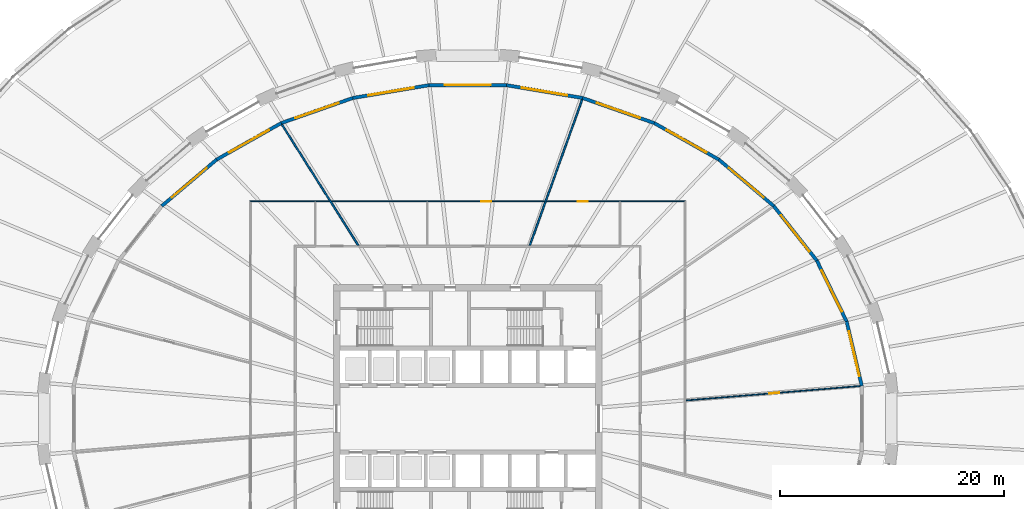
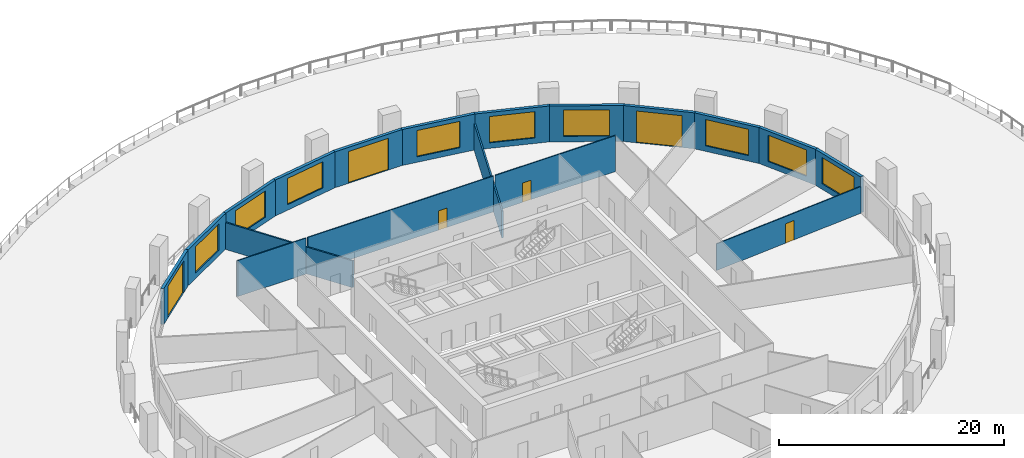
# One storey, part 10 of 16: 18 walls, 9 windows, 6 doors, 15 openings.
"""IFC4 building model written with IfcOpenShell, lengths in metres."""

from ifc_helpers import new_model, si_unit, direction, frame, frame_2d, origin, place, context, subcontext, project, spatial, polyline, rectangle, outline, extrude, material, layer, layer_set, type_object, element, fill, save


model = new_model("IFC4")

# Units and contexts
model_context = context("Model", 3, precision=1e-05, world=origin(), true_north=direction((0.0, 1.0)))
body_context = subcontext(model_context, "Body", "Model", "MODEL_VIEW")
ifc_project = project(units=[si_unit("LENGTHUNIT", "METRE"), si_unit("AREAUNIT", "SQUARE_METRE"), si_unit("VOLUMEUNIT", "CUBIC_METRE"), si_unit("PLANEANGLEUNIT", "RADIAN"), si_unit("MASSUNIT", "GRAM", prefix="KILO")], contexts=[model_context])

# Site, building, storey
site_placement = place(None, origin())
site = spatial("IfcSite", under=ifc_project, at=site_placement, CompositionType="ELEMENT")
building_placement = place(site_placement, origin())
building = spatial("IfcBuilding", under=site, at=building_placement, Name="Halqa Exchange Tower", CompositionType="ELEMENT")
storey_placement = place(building_placement, frame((0.0, 0.0, 23.5)))
storey = spatial("IfcBuildingStorey", under=building, at=storey_placement, Name="L04", CompositionType="ELEMENT", Elevation=23.5)

# Walls
ifc_material_1 = material(Name="Fire-rated gypsum board")
ifc_layer_1 = layer(ifc_material_1, 0.14990234375)
ifc_layer_set_1 = layer_set([ifc_layer_1], Name="Fire-rated gypsum board")
wall_type_1 = type_object("IfcWallType", Name="Fire partition EI 60 150", PredefinedType="PARTITIONING", material=ifc_layer_set_1)
wall_1_placement = place(storey_placement, frame((-16.59228515625, 26.260498046875, 0.0), z_axis=(0.0, 0.0, 1.0), x_axis=(0.534158681269, -0.845384234077, 0.0)))
element("IfcWall", 1, at=wall_1_placement, inside=storey, type_object=wall_type_1, Name="L04-PWL-013", PredefinedType="PARTITIONING", context=body_context, shape_type="SweptSolid", body=[
    extrude(outline(polyline([(0.0, -0.074951171875), (1.601806640625, -0.074951171875), (3.20361328125, -0.074951171875), (4.80517578125, -0.074951171875), (6.406982421875, -0.074951171875), (8.0087890625, -0.074951171875), (8.01025390625, -0.07275390625), (8.013916015625, -0.074951171875), (9.58544921875, -0.074951171875), (11.156982421875, -0.074951171875), (12.728515625, -0.074951171875), (12.78173828125, 0.009521484375), (12.78173828125, 0.009521484375), (12.796142578125, 0.031982421875), (12.783447265625, 0.0400390625), (12.805419921875, 0.074951171875), (12.805419921875, 0.074951171875), (11.277587890625, 0.074951171875), (9.749755859375, 0.074951171875), (8.2216796875, 0.074951171875), (8.22021484375, 0.072509765625), (8.216552734375, 0.074951171875), (6.577392578125, 0.074951171875), (4.9384765625, 0.074951171875), (3.29931640625, 0.074951171875), (1.660400390625, 0.074951171875), (0.021240234375, 0.074951171875), (0.00341796875, -0.003173828125), (0.0, -0.0703125), (0.0, -0.074951171875)])), origin(), (0.0, 0.0, 1.0), 2.909912109375),
])
wall_2_placement = place(storey_placement, frame((5.537841796875, 15.449951171875, 0.0), z_axis=(0.0, 0.0, 1.0), x_axis=(0.337914385466, 0.94117685272, 0.0)))
element("IfcWall", 2, at=wall_2_placement, inside=storey, type_object=wall_type_1, Name="L04-PWL-031", PredefinedType="PARTITIONING", context=body_context, shape_type="SweptSolid", body=[
    extrude(outline(polyline([(0.053466796875, -0.074951171875), (1.460205078125, -0.074951171875), (2.866943359375, -0.074951171875), (4.273681640625, -0.074951171875), (4.276611328125, -0.073974609375), (4.27685546875, -0.074951171875), (6.1923828125, -0.074951171875), (8.10791015625, -0.074951171875), (10.0234375, -0.074951171875), (11.93896484375, -0.074951171875), (13.8544921875, -0.074951171875), (13.8544921875, -0.06298828125), (13.85400390625, 0.00146484375), (13.8408203125, 0.074951171875), (11.9169921875, 0.074951171875), (9.9931640625, 0.074951171875), (8.069580078125, 0.074951171875), (6.145751953125, 0.074951171875), (4.22216796875, 0.074951171875), (4.12890625, 0.04150390625), (4.116943359375, 0.074951171875), (2.74462890625, 0.074951171875), (1.372314453125, 0.074951171875), (0.0, 0.074951171875), (0.0, 0.07421875), (0.053466796875, -0.074951171875)])), origin(), (0.0, 0.0, 1.0), 2.909912109375),
])
ifc_material_2 = material(Name="Gypsum board")
ifc_layer_2 = layer(ifc_material_2, 0.10009765625)
ifc_layer_set_2 = layer_set([ifc_layer_2], Name="Gypsum board")
wall_type_2 = type_object("IfcWallType", Name="Partition 100 gypsum", PredefinedType="PARTITIONING", material=ifc_layer_set_2)
wall_3_placement = place(storey_placement, frame((-19.449951171875, 19.39990234375, 0.0), z_axis=(0.0, 0.0, 1.0), x_axis=(1.0, 0.0, 0.0)))
element("IfcWall", 3, at=wall_3_placement, inside=storey, type_object=wall_type_2, Name="L04-PWL-011", PredefinedType="PARTITIONING", context=body_context, shape_type="SweptSolid", body=[
    extrude(outline(polyline([(7.074951171875, 0.050048828125), (5.30615234375, 0.050048828125), (3.53759765625, 0.050048828125), (1.768798828125, 0.050048828125), (0.0, 0.050048828125), (0.10009765625, -0.050048828125), (1.84375, -0.050048828125), (3.58740234375, -0.050048828125), (5.331298828125, -0.050048828125), (7.074951171875, -0.050048828125), (7.074951171875, 0.050048828125)])), origin(), (0.0, 0.0, 1.0), 3.89990234375),
])

# Wall, opening, door
wall_4_placement = place(storey_placement, frame((-12.199951171875, 19.39990234375, 0.0), z_axis=(0.0, 0.0, 1.0), x_axis=(1.0, 0.0, 0.0)))
wall_4 = element("IfcWall", 4, at=wall_4_placement, inside=storey, type_object=wall_type_2, Name="L04-PWL-021", PredefinedType="PARTITIONING", context=body_context, shape_type="SweptSolid", body=[
    extrude(outline(polyline([(0.06298828125, -0.050048828125), (1.75439453125, -0.050048828125), (3.44580078125, -0.050048828125), (5.13720703125, -0.050048828125), (6.82861328125, -0.050048828125), (8.52001953125, -0.050048828125), (8.52001953125, -0.0498046875), (8.619873046875, -0.0498046875), (8.619873046875, -0.050048828125), (10.359619140625, -0.050048828125), (12.099365234375, -0.050048828125), (13.839111328125, -0.050048828125), (15.578857421875, -0.050048828125), (17.318603515625, -0.050048828125), (19.058349609375, -0.050048828125), (19.093994140625, 0.04931640625), (19.093994140625, 0.050048828125), (17.1845703125, 0.050048828125), (15.275146484375, 0.050048828125), (13.36572265625, 0.050048828125), (11.456298828125, 0.050048828125), (9.546875, 0.050048828125), (7.6376953125, 0.050048828125), (5.728271484375, 0.050048828125), (3.81884765625, 0.050048828125), (1.909423828125, 0.050048828125), (0.0, 0.050048828125), (0.0, 0.049560546875), (0.06298828125, -0.050048828125)])), origin(), (0.0, 0.0, 1.0), 3.89990234375),
])
opening_1_placement = place(wall_4_placement, frame((13.4150390625, 0.0, 0.0)))
opening_1 = element("IfcOpeningElement", 5, at=opening_1_placement, cuts=wall_4, Name="Opening 01-21", PredefinedType="OPENING", context=body_context, shape_type="SweptSolid", body=[
    extrude(rectangle(XDim=0.89990234375, YDim=2.10009765625, at=frame_2d((0.449951171875, 1.050048828125))), frame((0.0, 0.06201171875, 0.0), z_axis=(0.0, -1.0, 0.0), x_axis=(1.0, 0.0, 0.0)), (0.0, 0.0, 1.0), 0.1240234375),
])
ifc_material_3 = material(Name="Timber door leaf", Category="wood")
door_type_1 = type_object("IfcDoorType", Name="Door 900 x 2100", OperationType="SINGLE_SWING_LEFT", PredefinedType="DOOR", material=ifc_material_3)
door_1_placement = place(opening_1_placement, frame((0.89990234375, 0.0, 0.0), z_axis=(0.0, 0.0, 1.0), x_axis=(-1.0, 0.0, 0.0)))
door_1 = element("IfcDoor", 6, at=door_1_placement, inside=storey, type_object=door_type_1, Name="L04-IDR-021", OperationType="SINGLE_SWING_RIGHT", OverallHeight=2.10009765625, OverallWidth=0.89990234375, PredefinedType="DOOR", context=body_context, shape_type="SweptSolid", body=[
    extrude(rectangle(XDim=0.89990234375, YDim=2.10009765625, at=frame_2d((0.449951171875, 1.050048828125))), frame((0.0, 0.02490234375, 0.0), z_axis=(0.0, -1.0, 0.0), x_axis=(1.0, 0.0, 0.0)), (0.0, 0.0, 1.0), 0.050048828125),
])
fill(opening_1, door_1)

wall_5_placement = place(storey_placement, frame((7.01806640625, 19.39990234375, 0.0), z_axis=(0.0, 0.0, 1.0), x_axis=(1.0, 0.0, 0.0)))
wall_5 = element("IfcWall", 7, at=wall_5_placement, inside=storey, type_object=wall_type_2, Name="L04-PWL-034", PredefinedType="PARTITIONING", context=body_context, shape_type="SweptSolid", body=[
    extrude(outline(polyline([(0.0, -0.050048828125), (1.633056640625, -0.050048828125), (3.265869140625, -0.050048828125), (4.89892578125, -0.050048828125), (6.531982421875, -0.050048828125), (6.531982421875, -0.0498046875), (6.6318359375, -0.0498046875), (6.6318359375, -0.050048828125), (8.531982421875, -0.050048828125), (10.431884765625, -0.050048828125), (12.331787109375, -0.050048828125), (12.33203125, -0.0498046875), (12.431884765625, 0.050048828125), (10.660888671875, 0.050048828125), (8.89013671875, 0.050048828125), (7.119140625, 0.050048828125), (5.348388671875, 0.050048828125), (3.577392578125, 0.050048828125), (1.806640625, 0.050048828125), (0.03564453125, 0.050048828125), (0.0, -0.04931640625), (0.0, -0.050048828125)])), origin(), (0.0, 0.0, 1.0), 3.89990234375),
])
opening_2_placement = place(wall_5_placement, frame((2.81201171875, 0.0, 0.0)))
opening_2 = element("IfcOpeningElement", 8, at=opening_2_placement, cuts=wall_5, Name="Opening 01-20", PredefinedType="OPENING", context=body_context, shape_type="SweptSolid", body=[
    extrude(rectangle(XDim=0.89990234375, YDim=2.10009765625, at=frame_2d((0.449951171875, 1.050048828125))), frame((0.0, 0.06201171875, 0.0), z_axis=(0.0, -1.0, 0.0), x_axis=(1.0, 0.0, 0.0)), (0.0, 0.0, 1.0), 0.1240234375),
])
door_2_placement = place(opening_2_placement, frame((0.89990234375, 0.0, 0.0), z_axis=(0.0, 0.0, 1.0), x_axis=(-1.0, 0.0, 0.0)))
door_2 = element("IfcDoor", 9, at=door_2_placement, inside=storey, type_object=door_type_1, Name="L04-IDR-020", OperationType="SINGLE_SWING_RIGHT", OverallHeight=2.10009765625, OverallWidth=0.89990234375, PredefinedType="DOOR", context=body_context, shape_type="SweptSolid", body=[
    extrude(rectangle(XDim=0.89990234375, YDim=2.10009765625, at=frame_2d((0.449951171875, 1.050048828125))), frame((0.0, 0.02490234375, 0.0), z_axis=(0.0, -1.0, 0.0), x_axis=(1.0, 0.0, 0.0)), (0.0, 0.0, 1.0), 0.050048828125),
])
fill(opening_2, door_2)

wall_6_placement = place(storey_placement, frame((19.4462890625, 1.623779296875, 0.0), z_axis=(0.0, 0.0, 1.0), x_axis=(0.996584208703, 0.082582776438, 0.0)))
wall_6 = element("IfcWall", 10, at=wall_6_placement, inside=storey, type_object=wall_type_2, Name="L04-PWL-045", PredefinedType="PARTITIONING", context=body_context, shape_type="SweptSolid", body=[
    extrude(outline(polyline([(15.633056640625, -0.050048828125), (15.633056640625, 0.03515625), (15.630859375, 0.050048828125), (13.677978515625, 0.050048828125), (11.72509765625, 0.050048828125), (9.772216796875, 0.050048828125), (7.8193359375, 0.050048828125), (5.866455078125, 0.050048828125), (3.91357421875, 0.050048828125), (1.960693359375, 0.050048828125), (0.0078125, 0.050048828125), (0.0, -0.044921875), (0.0, -0.050048828125), (1.9541015625, -0.050048828125), (3.908203125, -0.050048828125), (5.8623046875, -0.050048828125), (7.81640625, -0.050048828125), (9.770751953125, -0.050048828125), (11.724853515625, -0.050048828125), (13.678955078125, -0.050048828125), (15.633056640625, -0.050048828125)])), origin(), (0.0, 0.0, 1.0), 2.89208984375),
])
opening_3_placement = place(wall_6_placement, frame((7.495849609375, 0.0, 0.0)))
opening_3 = element("IfcOpeningElement", 11, at=opening_3_placement, cuts=wall_6, Name="Opening 01-18", PredefinedType="OPENING", context=body_context, shape_type="SweptSolid", body=[
    extrude(rectangle(XDim=0.89990234375, YDim=2.10009765625, at=frame_2d((0.449951171875, 1.050048828125))), frame((0.0, 0.06201171875, 0.0), z_axis=(0.0, -1.0, 0.0), x_axis=(1.0, 0.0, 0.0)), (0.0, 0.0, 1.0), 0.1240234375),
])
door_3_placement = place(opening_3_placement, origin())
door_3 = element("IfcDoor", 12, at=door_3_placement, inside=storey, type_object=door_type_1, Name="L04-IDR-018", OperationType="SINGLE_SWING_RIGHT", OverallHeight=2.10009765625, OverallWidth=0.89990234375, PredefinedType="DOOR", context=body_context, shape_type="SweptSolid", body=[
    extrude(rectangle(XDim=0.89990234375, YDim=2.10009765625, at=frame_2d((0.449951171875, 1.050048828125))), frame((0.0, 0.02490234375, 0.0), z_axis=(0.0, -1.0, 0.0), x_axis=(1.0, 0.0, 0.0)), (0.0, 0.0, 1.0), 0.050048828125),
])
fill(opening_3, door_3)

# Wall, opening, window
ifc_material_4 = material(Name="Limestone cladding", Category="masonry")
ifc_layer_3 = layer(ifc_material_4, 0.0400390625)
ifc_material_5 = material(Name="Ventilated cavity")
ifc_layer_4 = layer(ifc_material_5, 0.030029296875, ventilated=True)
ifc_material_6 = material(Name="Mineral wool insulation")
ifc_layer_5 = layer(ifc_material_6, 0.10009765625)
ifc_material_7 = material(Name="Concrete C30/37", Category="concrete")
ifc_layer_6 = layer(ifc_material_7, 0.10009765625)
ifc_material_8 = material(Name="Internal plaster")
ifc_layer_7 = layer(ifc_material_8, 0.030029296875)
ifc_layer_set_3 = layer_set([ifc_layer_3, ifc_layer_4, ifc_layer_5, ifc_layer_6, ifc_layer_7], Name="Stone-faced insulated wall 300")
wall_type_3 = type_object("IfcWallType", Name="Stone-faced insulated wall 300", PredefinedType="STANDARD", material=ifc_layer_set_3)
wall_7_placement = place(storey_placement, frame((35.180419921875, 2.935546875, 0.0), z_axis=(0.0, 0.0, 1.0), x_axis=(-0.228924296831, 0.973444228665, 0.0)))
wall_7 = element("IfcWall", 13, at=wall_7_placement, inside=storey, type_object=wall_type_3, Name="Glass-line wall 1", PredefinedType="STANDARD", context=body_context, shape_type="SweptSolid", body=[
    extrude(outline(polyline([(-0.017333984375, -0.14990234375), (5.931396484375, -0.14990234375), (5.897705078125, 0.14990234375), (0.017333984375, 0.14990234375), (-0.017333984375, -0.14990234375)])), origin(), (0.0, 0.0, 1.0), 3.89990234375),
])
opening_4_placement = place(wall_7_placement, frame((0.9072265625, 0.0, 0.60009765625)))
opening_4 = element("IfcOpeningElement", 14, at=opening_4_placement, cuts=wall_7, Name="Opening W-F1-01", PredefinedType="OPENING", context=body_context, shape_type="SweptSolid", body=[
    extrude(rectangle(XDim=4.10009765625, YDim=2.85009765625, at=frame_2d((2.050048828125, 1.425048828125))), frame((0.0, 0.162109375, 0.0), z_axis=(0.0, -1.0, 0.0), x_axis=(1.0, 0.0, 0.0)), (0.0, 0.0, 1.0), 0.323974609375),
])
ifc_material_9 = material(Name="Clear low-emissivity glass in aluminium frame", Category="aluminium")
window_type = type_object("IfcWindowType", Name="Fixed clear glazed window 4100 x 2850", PartitioningType="TRIPLE_PANEL_VERTICAL", PredefinedType="WINDOW", material=ifc_material_9)
window_1_placement = place(opening_4_placement, origin())
window_1 = element("IfcWindow", 15, at=window_1_placement, inside=storey, type_object=window_type, Name="Window 1", OverallHeight=2.85009765625, OverallWidth=4.10009765625, PartitioningType="TRIPLE_PANEL_VERTICAL", PredefinedType="WINDOW", context=body_context, shape_type="SweptSolid", body=[
    extrude(rectangle(XDim=4.10009765625, YDim=2.85009765625, at=frame_2d((2.050048828125, 1.425048828125))), frame((0.0, 0.030029296875, 0.0), z_axis=(0.0, -1.0, 0.0), x_axis=(1.0, 0.0, 0.0)), (0.0, 0.0, 1.0), 0.06005859375),
])
fill(opening_4, window_1)

wall_8_placement = place(storey_placement, frame((33.826416015625, 8.693115234375, 0.0), z_axis=(0.0, 0.0, 1.0), x_axis=(-0.439821516427, 0.898085204025, 0.0)))
wall_8 = element("IfcWall", 16, at=wall_8_placement, inside=storey, type_object=wall_type_3, Name="Glass-line wall 2", PredefinedType="STANDARD", context=body_context, shape_type="SweptSolid", body=[
    extrude(outline(polyline([(-0.016845703125, -0.14990234375), (6.052734375, -0.14990234375), (6.0205078125, 0.14990234375), (0.016845703125, 0.14990234375), (-0.016845703125, -0.14990234375)])), origin(), (0.0, 0.0, 1.0), 3.89990234375),
])
opening_5_placement = place(wall_8_placement, frame((0.968505859375, 0.0, 0.60009765625)))
opening_5 = element("IfcOpeningElement", 17, at=opening_5_placement, cuts=wall_8, Name="Opening W-F1-02", PredefinedType="OPENING", context=body_context, shape_type="SweptSolid", body=[
    extrude(rectangle(XDim=4.10009765625, YDim=2.85009765625, at=frame_2d((2.050048828125, 1.425048828125))), frame((0.0, 0.162109375, 0.0), z_axis=(0.0, -1.0, 0.0), x_axis=(1.0, 0.0, 0.0)), (0.0, 0.0, 1.0), 0.323974609375),
])
window_2_placement = place(opening_5_placement, origin())
window_2 = element("IfcWindow", 18, at=window_2_placement, inside=storey, type_object=window_type, Name="Window 1", OverallHeight=2.85009765625, OverallWidth=4.10009765625, PartitioningType="TRIPLE_PANEL_VERTICAL", PredefinedType="WINDOW", context=body_context, shape_type="SweptSolid", body=[
    extrude(rectangle(XDim=4.10009765625, YDim=2.85009765625, at=frame_2d((2.050048828125, 1.425048828125))), frame((0.0, 0.030029296875, 0.0), z_axis=(0.0, -1.0, 0.0), x_axis=(1.0, 0.0, 0.0)), (0.0, 0.0, 1.0), 0.06005859375),
])
fill(opening_5, window_2)

wall_9_placement = place(storey_placement, frame((31.17138671875, 14.114501953125, 0.0), z_axis=(0.0, 0.0, 1.0), x_axis=(-0.619902786528, 0.784678619089, 0.0)))
wall_9 = element("IfcWall", 19, at=wall_9_placement, inside=storey, type_object=wall_type_3, Name="Glass-line wall 3", PredefinedType="STANDARD", context=body_context, shape_type="SweptSolid", body=[
    extrude(outline(polyline([(-0.01611328125, -0.14990234375), (6.230712890625, -0.14990234375), (6.200439453125, 0.14990234375), (0.01611328125, 0.14990234375), (-0.01611328125, -0.14990234375)])), origin(), (0.0, 0.0, 1.0), 3.89990234375),
])
opening_6_placement = place(wall_9_placement, frame((1.0576171875, 0.0, 0.60009765625)))
opening_6 = element("IfcOpeningElement", 20, at=opening_6_placement, cuts=wall_9, Name="Opening W-F1-03", PredefinedType="OPENING", context=body_context, shape_type="SweptSolid", body=[
    extrude(rectangle(XDim=4.10009765625, YDim=2.85009765625, at=frame_2d((2.050048828125, 1.425048828125))), frame((0.0, 0.162109375, 0.0), z_axis=(0.0, -1.0, 0.0), x_axis=(1.0, 0.0, 0.0)), (0.0, 0.0, 1.0), 0.323974609375),
])
window_3_placement = place(opening_6_placement, origin())
window_3 = element("IfcWindow", 21, at=window_3_placement, inside=storey, type_object=window_type, Name="Window 1", OverallHeight=2.85009765625, OverallWidth=4.10009765625, PartitioningType="TRIPLE_PANEL_VERTICAL", PredefinedType="WINDOW", context=body_context, shape_type="SweptSolid", body=[
    extrude(rectangle(XDim=4.10009765625, YDim=2.85009765625, at=frame_2d((2.050048828125, 1.425048828125))), frame((0.0, 0.030029296875, 0.0), z_axis=(0.0, -1.0, 0.0), x_axis=(1.0, 0.0, 0.0)), (0.0, 0.0, 1.0), 0.06005859375),
])
fill(opening_6, window_3)

# Wall, opening, door
wall_10_placement = place(storey_placement, frame((27.318359375, 18.99169921875, 0.0), z_axis=(0.0, 0.0, 1.0), x_axis=(-0.763540615407, 0.645759807223, 0.0)))
wall_10 = element("IfcWall", 22, at=wall_10_placement, inside=storey, type_object=wall_type_3, Name="Glass-line wall 4", PredefinedType="STANDARD", context=body_context, shape_type="SweptSolid", body=[
    extrude(outline(polyline([(-0.01513671875, -0.14990234375), (6.433837890625, -0.14990234375), (6.405517578125, 0.14990234375), (0.01513671875, 0.14990234375), (-0.01513671875, -0.14990234375)])), origin(), (0.0, 0.0, 1.0), 3.89990234375),
])
opening_7_placement = place(wall_10_placement, frame((1.159912109375, 0.0, 0.0)))
opening_7 = element("IfcOpeningElement", 23, at=opening_7_placement, cuts=wall_10, Name="Opening LG-F1-01", PredefinedType="OPENING", context=body_context, shape_type="SweptSolid", body=[
    extrude(rectangle(XDim=4.10009765625, YDim=3.449951171875, at=frame_2d((2.050048828125, 1.72509765625))), frame((0.0, 0.162109375, 0.0), z_axis=(0.0, -1.0, 0.0), x_axis=(1.0, 0.0, 0.0)), (0.0, 0.0, 1.0), 0.323974609375),
])
door_type_2 = type_object("IfcDoorType", Name="Glazed sliding loggia door 4100 x 3450", OperationType="DOUBLE_DOOR_SLIDING", PredefinedType="DOOR", material=ifc_material_9)
door_4_placement = place(opening_7_placement, origin())
door_4 = element("IfcDoor", 24, at=door_4_placement, inside=storey, type_object=door_type_2, Name="Loggia door 1", OperationType="DOUBLE_DOOR_SLIDING", OverallHeight=3.449951171875, OverallWidth=4.10009765625, PredefinedType="DOOR", context=body_context, shape_type="SweptSolid", body=[
    extrude(rectangle(XDim=4.10009765625, YDim=3.449951171875, at=frame_2d((2.050048828125, 1.72509765625))), frame((0.0, 0.02490234375, 0.0), z_axis=(0.0, -1.0, 0.0), x_axis=(1.0, 0.0, 0.0)), (0.0, 0.0, 1.0), 0.050048828125),
])
fill(opening_7, door_4)

# Wall, opening, window
wall_11_placement = place(storey_placement, frame((22.416748046875, 23.13720703125, 0.0), z_axis=(0.0, 0.0, 1.0), x_axis=(-0.8705786416, 0.492029296678, 0.0)))
wall_11 = element("IfcWall", 25, at=wall_11_placement, inside=storey, type_object=wall_type_3, Name="Glass-line wall 5", PredefinedType="STANDARD", context=body_context, shape_type="SweptSolid", body=[
    extrude(outline(polyline([(-0.01416015625, -0.14990234375), (6.631103515625, -0.14990234375), (6.604248046875, 0.14990234375), (0.01416015625, 0.14990234375), (-0.01416015625, -0.14990234375)])), origin(), (0.0, 0.0, 1.0), 3.89990234375),
])
opening_8_placement = place(wall_11_placement, frame((1.2587890625, 0.0, 0.60009765625)))
opening_8 = element("IfcOpeningElement", 26, at=opening_8_placement, cuts=wall_11, Name="Opening W-F1-05", PredefinedType="OPENING", context=body_context, shape_type="SweptSolid", body=[
    extrude(rectangle(XDim=4.10009765625, YDim=2.85009765625, at=frame_2d((2.050048828125, 1.425048828125))), frame((0.0, 0.162109375, 0.0), z_axis=(0.0, -1.0, 0.0), x_axis=(1.0, 0.0, 0.0)), (0.0, 0.0, 1.0), 0.323974609375),
])
window_4_placement = place(opening_8_placement, origin())
window_4 = element("IfcWindow", 27, at=window_4_placement, inside=storey, type_object=window_type, Name="Window 1", OverallHeight=2.85009765625, OverallWidth=4.10009765625, PartitioningType="TRIPLE_PANEL_VERTICAL", PredefinedType="WINDOW", context=body_context, shape_type="SweptSolid", body=[
    extrude(rectangle(XDim=4.10009765625, YDim=2.85009765625, at=frame_2d((2.050048828125, 1.425048828125))), frame((0.0, 0.030029296875, 0.0), z_axis=(0.0, -1.0, 0.0), x_axis=(1.0, 0.0, 0.0)), (0.0, 0.0, 1.0), 0.06005859375),
])
fill(opening_8, window_4)

wall_12_placement = place(storey_placement, frame((16.655517578125, 26.393310546875, 0.0), z_axis=(0.0, 0.0, 1.0), x_axis=(-0.943767392455, 0.330610206947, 0.0)))
wall_12 = element("IfcWall", 28, at=wall_12_placement, inside=storey, type_object=wall_type_3, Name="Glass-line wall 6", PredefinedType="STANDARD", context=body_context, shape_type="SweptSolid", body=[
    extrude(outline(polyline([(-0.013427734375, -0.14990234375), (6.7939453125, -0.14990234375), (6.7685546875, 0.14990234375), (0.013427734375, 0.14990234375), (-0.013427734375, -0.14990234375)])), origin(), (0.0, 0.0, 1.0), 3.89990234375),
])
opening_9_placement = place(wall_12_placement, frame((1.340576171875, 0.0, 0.60009765625)))
opening_9 = element("IfcOpeningElement", 29, at=opening_9_placement, cuts=wall_12, Name="Opening W-F1-06", PredefinedType="OPENING", context=body_context, shape_type="SweptSolid", body=[
    extrude(rectangle(XDim=4.10009765625, YDim=2.85009765625, at=frame_2d((2.050048828125, 1.425048828125))), frame((0.0, 0.162109375, 0.0), z_axis=(0.0, -1.0, 0.0), x_axis=(1.0, 0.0, 0.0)), (0.0, 0.0, 1.0), 0.323974609375),
])
window_5_placement = place(opening_9_placement, origin())
window_5 = element("IfcWindow", 30, at=window_5_placement, inside=storey, type_object=window_type, Name="Window 1", OverallHeight=2.85009765625, OverallWidth=4.10009765625, PartitioningType="TRIPLE_PANEL_VERTICAL", PredefinedType="WINDOW", context=body_context, shape_type="SweptSolid", body=[
    extrude(rectangle(XDim=4.10009765625, YDim=2.85009765625, at=frame_2d((2.050048828125, 1.425048828125))), frame((0.0, 0.030029296875, 0.0), z_axis=(0.0, -1.0, 0.0), x_axis=(1.0, 0.0, 0.0)), (0.0, 0.0, 1.0), 0.06005859375),
])
fill(opening_9, window_5)

wall_13_placement = place(storey_placement, frame((10.255615234375, 28.63525390625, 0.0), z_axis=(0.0, 0.0, 1.0), x_axis=(-0.986141805867, 0.165904607291, 0.0)))
wall_13 = element("IfcWall", 31, at=wall_13_placement, inside=storey, type_object=wall_type_3, Name="Glass-line wall 7", PredefinedType="STANDARD", context=body_context, shape_type="SweptSolid", body=[
    extrude(outline(polyline([(-0.0126953125, -0.14990234375), (6.90087890625, -0.14990234375), (6.8759765625, 0.14990234375), (0.0126953125, 0.14990234375), (-0.0126953125, -0.14990234375)])), origin(), (0.0, 0.0, 1.0), 3.89990234375),
])
opening_10_placement = place(wall_13_placement, frame((1.39404296875, 0.0, 0.60009765625)))
opening_10 = element("IfcOpeningElement", 32, at=opening_10_placement, cuts=wall_13, Name="Opening W-F1-07", PredefinedType="OPENING", context=body_context, shape_type="SweptSolid", body=[
    extrude(rectangle(XDim=4.10009765625, YDim=2.85009765625, at=frame_2d((2.050048828125, 1.425048828125))), frame((0.0, 0.162109375, 0.0), z_axis=(0.0, -1.0, 0.0), x_axis=(1.0, 0.0, 0.0)), (0.0, 0.0, 1.0), 0.323974609375),
])
window_6_placement = place(opening_10_placement, origin())
window_6 = element("IfcWindow", 33, at=window_6_placement, inside=storey, type_object=window_type, Name="Window 1", OverallHeight=2.85009765625, OverallWidth=4.10009765625, PartitioningType="TRIPLE_PANEL_VERTICAL", PredefinedType="WINDOW", context=body_context, shape_type="SweptSolid", body=[
    extrude(rectangle(XDim=4.10009765625, YDim=2.85009765625, at=frame_2d((2.050048828125, 1.425048828125))), frame((0.0, 0.030029296875, 0.0), z_axis=(0.0, -1.0, 0.0), x_axis=(1.0, 0.0, 0.0)), (0.0, 0.0, 1.0), 0.06005859375),
])
fill(opening_10, window_6)

# Wall, opening, door
wall_14_placement = place(storey_placement, frame((3.462646484375, 29.778076171875, 0.0), z_axis=(0.0, 0.0, 1.0), x_axis=(-1.0, 0.0, 0.0)))
wall_14 = element("IfcWall", 34, at=wall_14_placement, inside=storey, type_object=wall_type_3, Name="Glass-line wall 8", PredefinedType="STANDARD", context=body_context, shape_type="SweptSolid", body=[
    extrude(outline(polyline([(-0.012451171875, -0.14990234375), (6.937744140625, -0.14990234375), (6.912841796875, 0.14990234375), (0.012451171875, 0.14990234375), (-0.012451171875, -0.14990234375)])), origin(), (0.0, 0.0, 1.0), 3.89990234375),
])
opening_11_placement = place(wall_14_placement, frame((1.41259765625, 0.0, 0.0)))
opening_11 = element("IfcOpeningElement", 35, at=opening_11_placement, cuts=wall_14, Name="Opening LG-F1-02", PredefinedType="OPENING", context=body_context, shape_type="SweptSolid", body=[
    extrude(rectangle(XDim=4.10009765625, YDim=3.449951171875, at=frame_2d((2.050048828125, 1.72509765625))), frame((0.0, 0.162109375, 0.0), z_axis=(0.0, -1.0, 0.0), x_axis=(1.0, 0.0, 0.0)), (0.0, 0.0, 1.0), 0.323974609375),
])
door_5_placement = place(opening_11_placement, origin())
door_5 = element("IfcDoor", 36, at=door_5_placement, inside=storey, type_object=door_type_2, Name="Loggia door 2", OperationType="DOUBLE_DOOR_SLIDING", OverallHeight=3.449951171875, OverallWidth=4.10009765625, PredefinedType="DOOR", context=body_context, shape_type="SweptSolid", body=[
    extrude(rectangle(XDim=4.10009765625, YDim=3.449951171875, at=frame_2d((2.050048828125, 1.72509765625))), frame((0.0, 0.02490234375, 0.0), z_axis=(0.0, -1.0, 0.0), x_axis=(1.0, 0.0, 0.0)), (0.0, 0.0, 1.0), 0.050048828125),
])
fill(opening_11, door_5)

# Wall, opening, window
wall_15_placement = place(storey_placement, frame((-3.462646484375, 29.778076171875, 0.0), z_axis=(0.0, 0.0, 1.0), x_axis=(-0.986141805867, -0.165904607291, 0.0)))
wall_15 = element("IfcWall", 37, at=wall_15_placement, inside=storey, type_object=wall_type_3, Name="Glass-line wall 9", PredefinedType="STANDARD", context=body_context, shape_type="SweptSolid", body=[
    extrude(outline(polyline([(-0.012451171875, -0.14990234375), (6.901123046875, -0.14990234375), (6.875732421875, 0.14990234375), (0.012451171875, 0.14990234375), (-0.012451171875, -0.14990234375)])), origin(), (0.0, 0.0, 1.0), 3.89990234375),
])
opening_12_placement = place(wall_15_placement, frame((1.39404296875, 0.0, 0.60009765625)))
opening_12 = element("IfcOpeningElement", 38, at=opening_12_placement, cuts=wall_15, Name="Opening W-F1-09", PredefinedType="OPENING", context=body_context, shape_type="SweptSolid", body=[
    extrude(rectangle(XDim=4.10009765625, YDim=2.85009765625, at=frame_2d((2.050048828125, 1.425048828125))), frame((0.0, 0.162109375, 0.0), z_axis=(0.0, -1.0, 0.0), x_axis=(1.0, 0.0, 0.0)), (0.0, 0.0, 1.0), 0.323974609375),
])
window_7_placement = place(opening_12_placement, origin())
window_7 = element("IfcWindow", 39, at=window_7_placement, inside=storey, type_object=window_type, Name="Window 1", OverallHeight=2.85009765625, OverallWidth=4.10009765625, PartitioningType="TRIPLE_PANEL_VERTICAL", PredefinedType="WINDOW", context=body_context, shape_type="SweptSolid", body=[
    extrude(rectangle(XDim=4.10009765625, YDim=2.85009765625, at=frame_2d((2.050048828125, 1.425048828125))), frame((0.0, 0.030029296875, 0.0), z_axis=(0.0, -1.0, 0.0), x_axis=(1.0, 0.0, 0.0)), (0.0, 0.0, 1.0), 0.06005859375),
])
fill(opening_12, window_7)

wall_16_placement = place(storey_placement, frame((-10.255615234375, 28.63525390625, 0.0), z_axis=(0.0, 0.0, 1.0), x_axis=(-0.943767392455, -0.330610206947, 0.0)))
wall_16 = element("IfcWall", 40, at=wall_16_placement, inside=storey, type_object=wall_type_3, Name="Glass-line wall 10", PredefinedType="STANDARD", context=body_context, shape_type="SweptSolid", body=[
    extrude(outline(polyline([(-0.0126953125, -0.14990234375), (6.794677734375, -0.14990234375), (6.767822265625, 0.14990234375), (0.0126953125, 0.14990234375), (-0.0126953125, -0.14990234375)])), origin(), (0.0, 0.0, 1.0), 3.89990234375),
])
opening_13_placement = place(wall_16_placement, frame((1.340576171875, 0.0, 0.60009765625)))
opening_13 = element("IfcOpeningElement", 41, at=opening_13_placement, cuts=wall_16, Name="Opening W-F1-10", PredefinedType="OPENING", context=body_context, shape_type="SweptSolid", body=[
    extrude(rectangle(XDim=4.10009765625, YDim=2.85009765625, at=frame_2d((2.050048828125, 1.425048828125))), frame((0.0, 0.162109375, 0.0), z_axis=(0.0, -1.0, 0.0), x_axis=(1.0, 0.0, 0.0)), (0.0, 0.0, 1.0), 0.323974609375),
])
window_8_placement = place(opening_13_placement, origin())
window_8 = element("IfcWindow", 42, at=window_8_placement, inside=storey, type_object=window_type, Name="Window 1", OverallHeight=2.85009765625, OverallWidth=4.10009765625, PartitioningType="TRIPLE_PANEL_VERTICAL", PredefinedType="WINDOW", context=body_context, shape_type="SweptSolid", body=[
    extrude(rectangle(XDim=4.10009765625, YDim=2.85009765625, at=frame_2d((2.050048828125, 1.425048828125))), frame((0.0, 0.030029296875, 0.0), z_axis=(0.0, -1.0, 0.0), x_axis=(1.0, 0.0, 0.0)), (0.0, 0.0, 1.0), 0.06005859375),
])
fill(opening_13, window_8)

wall_17_placement = place(storey_placement, frame((-16.655517578125, 26.393310546875, 0.0), z_axis=(0.0, 0.0, 1.0), x_axis=(-0.8705786416, -0.492029296678, 0.0)))
wall_17 = element("IfcWall", 43, at=wall_17_placement, inside=storey, type_object=wall_type_3, Name="Glass-line wall 11", PredefinedType="STANDARD", context=body_context, shape_type="SweptSolid", body=[
    extrude(outline(polyline([(-0.013427734375, -0.14990234375), (6.6318359375, -0.14990234375), (6.603515625, 0.14990234375), (0.013427734375, 0.14990234375), (-0.013427734375, -0.14990234375)])), origin(), (0.0, 0.0, 1.0), 3.89990234375),
])
opening_14_placement = place(wall_17_placement, frame((1.2587890625, 0.0, 0.60009765625)))
opening_14 = element("IfcOpeningElement", 44, at=opening_14_placement, cuts=wall_17, Name="Opening W-F1-11", PredefinedType="OPENING", context=body_context, shape_type="SweptSolid", body=[
    extrude(rectangle(XDim=4.10009765625, YDim=2.85009765625, at=frame_2d((2.050048828125, 1.425048828125))), frame((0.0, 0.162109375, 0.0), z_axis=(0.0, -1.0, 0.0), x_axis=(1.0, 0.0, 0.0)), (0.0, 0.0, 1.0), 0.323974609375),
])
window_9_placement = place(opening_14_placement, origin())
window_9 = element("IfcWindow", 45, at=window_9_placement, inside=storey, type_object=window_type, Name="Window 1", OverallHeight=2.85009765625, OverallWidth=4.10009765625, PartitioningType="TRIPLE_PANEL_VERTICAL", PredefinedType="WINDOW", context=body_context, shape_type="SweptSolid", body=[
    extrude(rectangle(XDim=4.10009765625, YDim=2.85009765625, at=frame_2d((2.050048828125, 1.425048828125))), frame((0.0, 0.030029296875, 0.0), z_axis=(0.0, -1.0, 0.0), x_axis=(1.0, 0.0, 0.0)), (0.0, 0.0, 1.0), 0.06005859375),
])
fill(opening_14, window_9)

# Wall, opening, door
wall_18_placement = place(storey_placement, frame((-22.416748046875, 23.13720703125, 0.0), z_axis=(0.0, 0.0, 1.0), x_axis=(-0.763540615407, -0.645759807223, 0.0)))
wall_18 = element("IfcWall", 46, at=wall_18_placement, inside=storey, type_object=wall_type_3, Name="Glass-line wall 12", PredefinedType="STANDARD", context=body_context, shape_type="SweptSolid", body=[
    extrude(outline(polyline([(-0.01416015625, -0.14990234375), (6.434814453125, -0.14990234375), (6.404541015625, 0.14990234375), (0.01416015625, 0.14990234375), (-0.01416015625, -0.14990234375)])), origin(), (0.0, 0.0, 1.0), 3.89990234375),
])
opening_15_placement = place(wall_18_placement, frame((1.159912109375, 0.0, 0.0)))
opening_15 = element("IfcOpeningElement", 47, at=opening_15_placement, cuts=wall_18, Name="Opening LG-F1-03", PredefinedType="OPENING", context=body_context, shape_type="SweptSolid", body=[
    extrude(rectangle(XDim=4.10009765625, YDim=3.449951171875, at=frame_2d((2.050048828125, 1.72509765625))), frame((0.0, 0.162109375, 0.0), z_axis=(0.0, -1.0, 0.0), x_axis=(1.0, 0.0, 0.0)), (0.0, 0.0, 1.0), 0.323974609375),
])
door_6_placement = place(opening_15_placement, origin())
door_6 = element("IfcDoor", 48, at=door_6_placement, inside=storey, type_object=door_type_2, Name="Loggia door 3", OperationType="DOUBLE_DOOR_SLIDING", OverallHeight=3.449951171875, OverallWidth=4.10009765625, PredefinedType="DOOR", context=body_context, shape_type="SweptSolid", body=[
    extrude(rectangle(XDim=4.10009765625, YDim=3.449951171875, at=frame_2d((2.050048828125, 1.72509765625))), frame((0.0, 0.02490234375, 0.0), z_axis=(0.0, -1.0, 0.0), x_axis=(1.0, 0.0, 0.0)), (0.0, 0.0, 1.0), 0.050048828125),
])
fill(opening_15, door_6)

save(model, "model.ifc")
